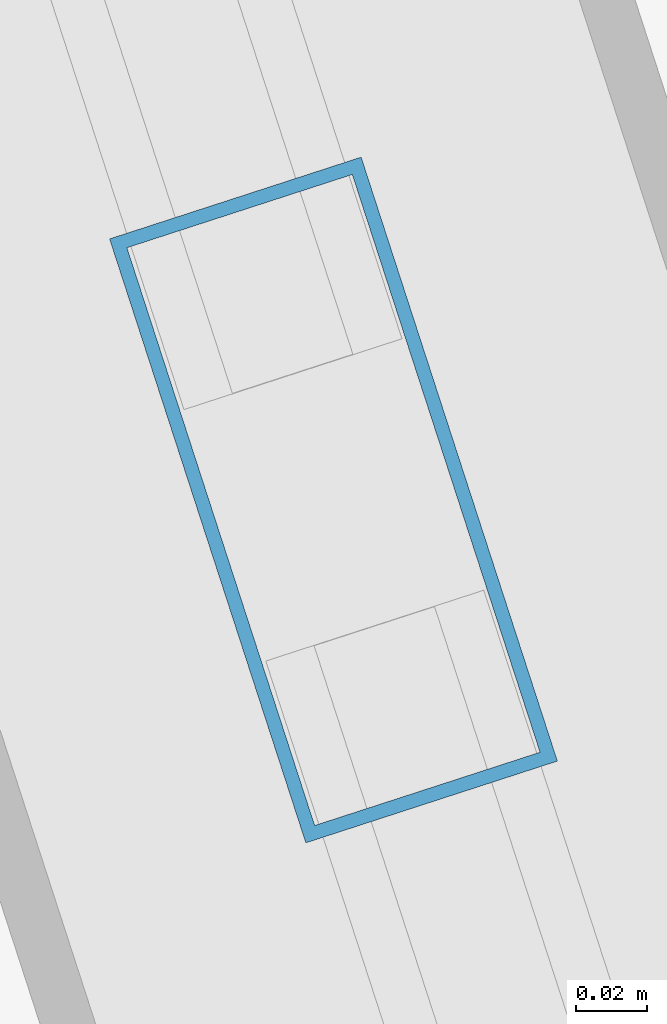
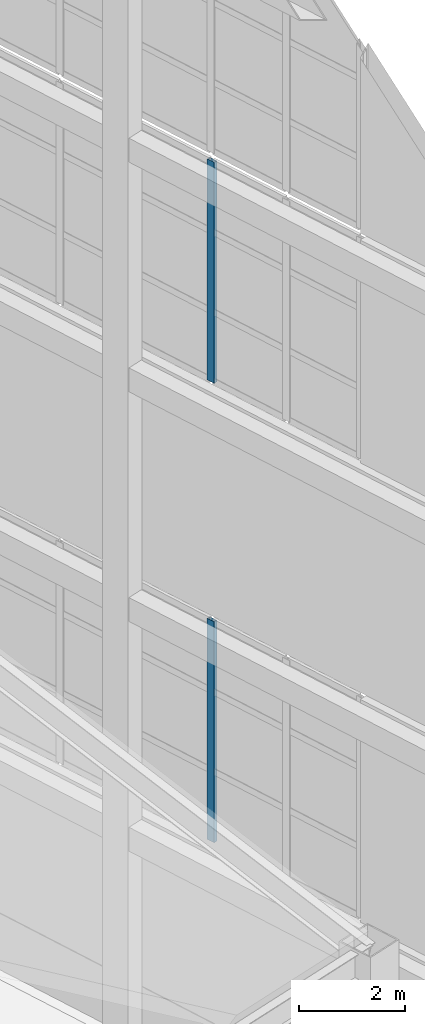
# One storey, part 31 of 56: 2 members, 2 elements without a shape of their own.
"""IFC4 building model written with IfcOpenShell, lengths in metres."""

from ifc_helpers import new_model, si_unit, direction, frame, origin, origin_2d, place, context, subcontext, project, spatial, hollow_rectangle, extrude, material, layer, layer_set, material_profile, profile_set, type_object, element, aggregate, save


model = new_model("IFC4")

# Units and contexts
model_context = context("Model", 3, precision=1e-05, world=origin(), true_north=direction((0.0, 1.0)))
body_context = subcontext(model_context, "Body", "Model", "MODEL_VIEW")
ifc_project = project(units=[si_unit("LENGTHUNIT", "METRE"), si_unit("AREAUNIT", "SQUARE_METRE"), si_unit("VOLUMEUNIT", "CUBIC_METRE"), si_unit("PLANEANGLEUNIT", "RADIAN"), si_unit("MASSUNIT", "GRAM", prefix="KILO")], contexts=[model_context])

# Site, building, storey
site_placement = place(None, origin())
site = spatial("IfcSite", under=ifc_project, at=site_placement, CompositionType="ELEMENT")
building_placement = place(site_placement, origin())
building = spatial("IfcBuilding", under=site, at=building_placement, Name="Qiaolan Cultural Towers", CompositionType="ELEMENT")
storey_placement = place(building_placement, frame((0.0, 0.0, 250.39990234375)))
storey = spatial("IfcBuildingStorey", under=building, at=storey_placement, Name="L68", CompositionType="ELEMENT", Elevation=250.39990234375)

# Curtain wall, member
ifc_material_1 = material(Name="Unitized Anodized Aluminium Curtain Wall System", Category="aluminium")
ifc_layer = layer(ifc_material_1, 0.199951171875)
ifc_layer_set = layer_set([ifc_layer], Name="Unitized Anodized Aluminium Curtain Wall System")
curtain_wall_type = type_object("IfcCurtainWallType", Name="CWS-06", PredefinedType="NOTDEFINED", material=ifc_layer_set)
curtain_wall_1_placement = place(storey_placement, origin())
curtain_wall_1 = element("IfcCurtainWall", 1, at=curtain_wall_1_placement, inside=storey, type_object=curtain_wall_type, Name="T2 Crown Tier 2 Fritted Screen Curtain Wall 3", PredefinedType="NOTDEFINED")
ifc_material_2 = material(Name="Extruded Aluminium 6063-T6", Category="aluminium")
ifc_material_profile = material_profile(ifc_material_2, hollow_rectangle(XDim=0.074951171875, YDim=0.179931640625, WallThickness=0.00390625, at=origin_2d()), Name="CWM-180x75x4")
ifc_profile_set = profile_set([ifc_material_profile], Name="Extruded Aluminium 6063-T6")
member_type = type_object("IfcMemberType", Name="CWS-06-MUL", PredefinedType="MULLION", material=ifc_profile_set)
member_1_placement = place(storey_placement, frame((103.765380859375, 36.453857421875, 5.400146484375), z_axis=(0.0, 0.0, 1.0), x_axis=(-0.951056535512, -0.309016935232, 0.0)))
member_1 = element("IfcMember", 2, at=member_1_placement, type_object=member_type, Name="CW-6 mullion 3", PredefinedType="MULLION", context=body_context, shape_type="SweptSolid", body=[
    extrude(hollow_rectangle(XDim=0.074951171875, YDim=0.179931640625, WallThickness=0.00390625, at=origin_2d()), origin(), (0.0, 0.0, 1.0), 5.099853515625),
])
aggregate(curtain_wall_1, [member_1])

curtain_wall_2_placement = place(storey_placement, origin())
curtain_wall_2 = element("IfcCurtainWall", 3, at=curtain_wall_2_placement, inside=storey, type_object=curtain_wall_type, Name="T2 Crown Tier 4 Fritted Screen Curtain Wall 3", PredefinedType="NOTDEFINED")
member_2_placement = place(storey_placement, frame((103.765380859375, 36.453857421875, 16.0), z_axis=(0.0, 0.0, 1.0), x_axis=(-0.951056535512, -0.309016935232, 0.0)))
member_2 = element("IfcMember", 4, at=member_2_placement, type_object=member_type, Name="CW-6 mullion 3", PredefinedType="MULLION", context=body_context, shape_type="SweptSolid", body=[
    extrude(hollow_rectangle(XDim=0.074951171875, YDim=0.179931640625, WallThickness=0.00390625, at=origin_2d()), origin(), (0.0, 0.0, 1.0), 5.10009765625),
])
aggregate(curtain_wall_2, [member_2])

save(model, "model.ifc")
